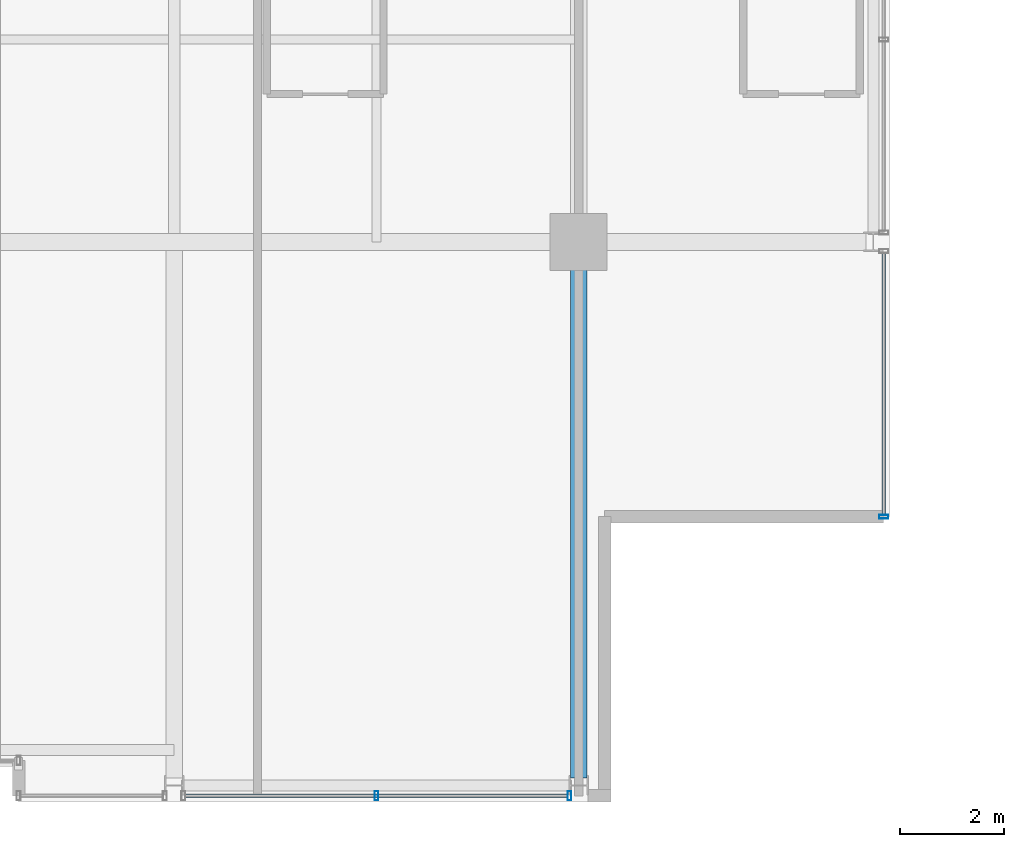
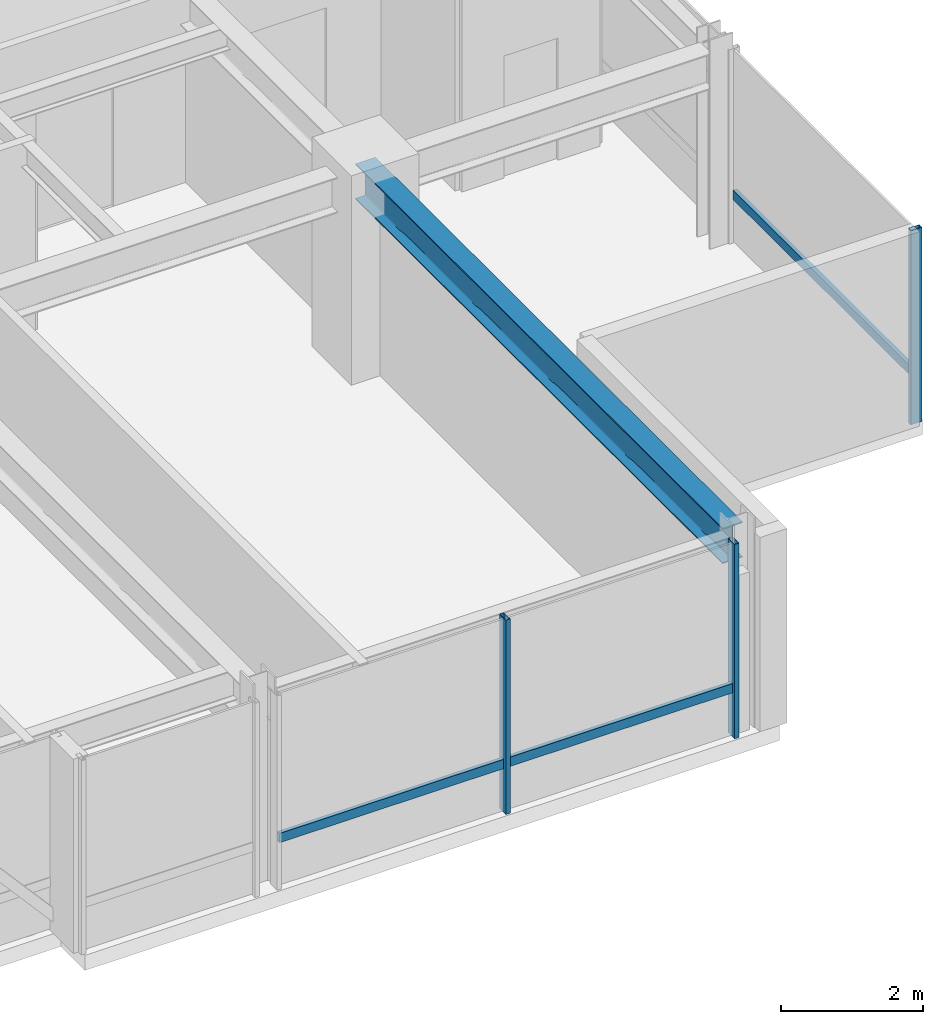
# One storey, part 13 of 33: 5 members, 1 beam, 2 elements without a shape of their own.
"""IFC4 building model written with IfcOpenShell, lengths in metres."""

from ifc_helpers import new_model, si_unit, direction, frame, origin, origin_2d, place, context, subcontext, project, spatial, hollow_rectangle, i_section, extrude, material, layer, layer_set, material_profile, profile_set, type_object, element, aggregate, save


model = new_model("IFC4")

# Units and contexts
model_context = context("Model", 3, precision=1e-05, world=origin(), true_north=direction((0.0, 1.0)))
body_context = subcontext(model_context, "Body", "Model", "MODEL_VIEW")
ifc_project = project(units=[si_unit("LENGTHUNIT", "METRE"), si_unit("AREAUNIT", "SQUARE_METRE"), si_unit("VOLUMEUNIT", "CUBIC_METRE"), si_unit("PLANEANGLEUNIT", "RADIAN"), si_unit("MASSUNIT", "GRAM", prefix="KILO")], contexts=[model_context])

# Site, building, storey
site_placement = place(None, origin())
site = spatial("IfcSite", under=ifc_project, at=site_placement, CompositionType="ELEMENT")
building_placement = place(site_placement, origin())
building = spatial("IfcBuilding", under=site, at=building_placement, Name="Drelvath Grand Hotel", CompositionType="ELEMENT")
storey_placement = place(building_placement, frame((0.0, 0.0, 248.300048828125)))
storey = spatial("IfcBuildingStorey", under=building, at=storey_placement, Name="L65", CompositionType="ELEMENT", Elevation=248.300048828125)

# Curtain wall, member
ifc_material_1 = material(Name="Platinum-Mist Anodised Aluminium Frame", Category="aluminium")
ifc_layer = layer(ifc_material_1, 0.199951171875)
ifc_layer_set = layer_set([ifc_layer], Name="Platinum-Mist Anodised Aluminium Frame")
curtain_wall_type = type_object("IfcCurtainWallType", Name="Stick Curtain Wall CW-05 Platinum Mist High-Rise", PredefinedType="NOTDEFINED", material=ifc_layer_set)
curtain_wall_1_placement = place(storey_placement, origin())
curtain_wall_1 = element("IfcCurtainWall", 1, at=curtain_wall_1_placement, inside=storey, type_object=curtain_wall_type, Name="L65 CW-05 Curtain Wall CW05-L65-ES1", PredefinedType="NOTDEFINED")
ifc_material_profile_1 = material_profile(ifc_material_1, hollow_rectangle(XDim=0.06494140625, YDim=0.159912109375, WallThickness=0.00390625, at=origin_2d()), Name="HSS160X65X4")
ifc_profile_set_1 = profile_set([ifc_material_profile_1], Name="Platinum-Mist Anodised Aluminium Frame")
member_type_1 = type_object("IfcMemberType", Name="Curtain Wall Horizontal Transom CW-05 HSS160X65X4", PredefinedType="USERDEFINED", material=ifc_profile_set_1)
member_1_placement = place(storey_placement, frame((22.080078125, 10.581787109375, 0.8349609375), z_axis=(0.0, -1.0, 0.0), x_axis=(1.0, 0.0, 0.0)))
member_1 = element("IfcMember", 2, at=member_1_placement, type_object=member_type_1, Name="CW05-L65-ES1 Sill Transom", ObjectType="TRANSOM", PredefinedType="USERDEFINED", context=body_context, shape_type="SweptSolid", body=[
    extrude(hollow_rectangle(XDim=0.06494140625, YDim=0.159912109375, WallThickness=0.00390625, at=origin_2d()), origin(), (0.0, 0.0, 1.0), 5.041748046875),
])

curtain_wall_2_placement = place(storey_placement, origin())
curtain_wall_2 = element("IfcCurtainWall", 3, at=curtain_wall_2_placement, inside=storey, type_object=curtain_wall_type, Name="L65 CW-05 Curtain Wall CW05-L65-SE2", PredefinedType="NOTDEFINED")
member_2_placement = place(storey_placement, frame((15.981689453125, 0.1201171875, 0.8349609375), z_axis=(-1.0, 0.0, 0.0), x_axis=(0.0, -1.0, 0.0)))
member_2 = element("IfcMember", 4, at=member_2_placement, type_object=member_type_1, Name="CW05-L65-SE2 Sill Transom", ObjectType="TRANSOM", PredefinedType="USERDEFINED", context=body_context, shape_type="SweptSolid", body=[
    extrude(hollow_rectangle(XDim=0.06494140625, YDim=0.159912109375, WallThickness=0.00390625, at=origin_2d()), origin(), (0.0, 0.0, 1.0), 7.363525390625),
])

# Member
ifc_material_profile_2 = material_profile(ifc_material_1, hollow_rectangle(XDim=0.074951171875, YDim=0.179931640625, WallThickness=0.0048828125, at=origin_2d()), Name="HSS180X75X5")
ifc_profile_set_2 = profile_set([ifc_material_profile_2], Name="Platinum-Mist Anodised Aluminium Frame")
member_type_2 = type_object("IfcMemberType", Name="Curtain Wall Vertical Mullion CW-05 HSS180X75X5", PredefinedType="MULLION", material=ifc_profile_set_2)
member_3_placement = place(storey_placement, frame((22.080078125, 5.5, 0.0), z_axis=(0.0, 0.0, 1.0), x_axis=(0.0, 1.0, 0.0)))
member_3 = element("IfcMember", 5, at=member_3_placement, type_object=member_type_2, Name="CW05-L65-ES1 Mullion 2", PredefinedType="MULLION", context=body_context, shape_type="SweptSolid", body=[
    extrude(hollow_rectangle(XDim=0.074951171875, YDim=0.179931640625, WallThickness=0.0048828125, at=origin_2d()), origin(), (0.0, 0.0, 1.0), 3.33984375),
])

aggregate(curtain_wall_1, [member_3, member_1])

member_4_placement = place(storey_placement, frame((16.021728515625, 0.1201171875, 0.0), z_axis=(0.0, 0.0, 1.0), x_axis=(1.0, 0.0, 0.0)))
member_4 = element("IfcMember", 6, at=member_4_placement, type_object=member_type_2, Name="CW05-L65-SE2 Mullion 1", PredefinedType="MULLION", context=body_context, shape_type="SweptSolid", body=[
    extrude(hollow_rectangle(XDim=0.074951171875, YDim=0.179931640625, WallThickness=0.0048828125, at=origin_2d()), origin(), (0.0, 0.0, 1.0), 3.33984375),
])

member_5_placement = place(storey_placement, frame((12.300048828125, 0.1201171875, 0.0), z_axis=(0.0, 0.0, 1.0), x_axis=(1.0, 0.0, 0.0)))
member_5 = element("IfcMember", 7, at=member_5_placement, type_object=member_type_2, Name="CW05-L65-SE2 Mullion 2", PredefinedType="MULLION", context=body_context, shape_type="SweptSolid", body=[
    extrude(hollow_rectangle(XDim=0.074951171875, YDim=0.179931640625, WallThickness=0.0048828125, at=origin_2d()), origin(), (0.0, 0.0, 1.0), 3.33984375),
])

aggregate(curtain_wall_2, [member_4, member_5, member_2])

# Beam
ifc_material_2 = material(Name="Steel ASTM A992 Gr 50", Category="steel")
ifc_material_profile_3 = material_profile(ifc_material_2, i_section(OverallWidth=0.323974609375, OverallDepth=0.611083984375, WebThickness=0.0126953125, FlangeThickness=0.01904296875, FilletRadius=0.02197265625, at=origin_2d()), Name="W24X104")
ifc_profile_set_3 = profile_set([ifc_material_profile_3], Name="Steel ASTM A992 Gr 50")
beam_type = type_object("IfcBeamType", Name="Primary Floor Girder W24X104", PredefinedType="BEAM", material=ifc_profile_set_3)
beam_placement = place(storey_placement, frame((16.199951171875, 0.4599609375, 3.034423828125), z_axis=(0.0, 1.0, 0.0), x_axis=(-1.0, 0.0, 0.0)))
element("IfcBeam", 8, at=beam_placement, inside=storey, type_object=beam_type, Name="L65 South Grid Girder 7", PredefinedType="BEAM", context=body_context, shape_type="SweptSolid", body=[
    extrude(i_section(OverallWidth=0.323974609375, OverallDepth=0.611083984375, WebThickness=0.0126953125, FlangeThickness=0.01904296875, FilletRadius=0.02197265625, at=origin_2d()), origin(), (0.0, 0.0, 1.0), 10.340087890625),
])

save(model, "model.ifc")
